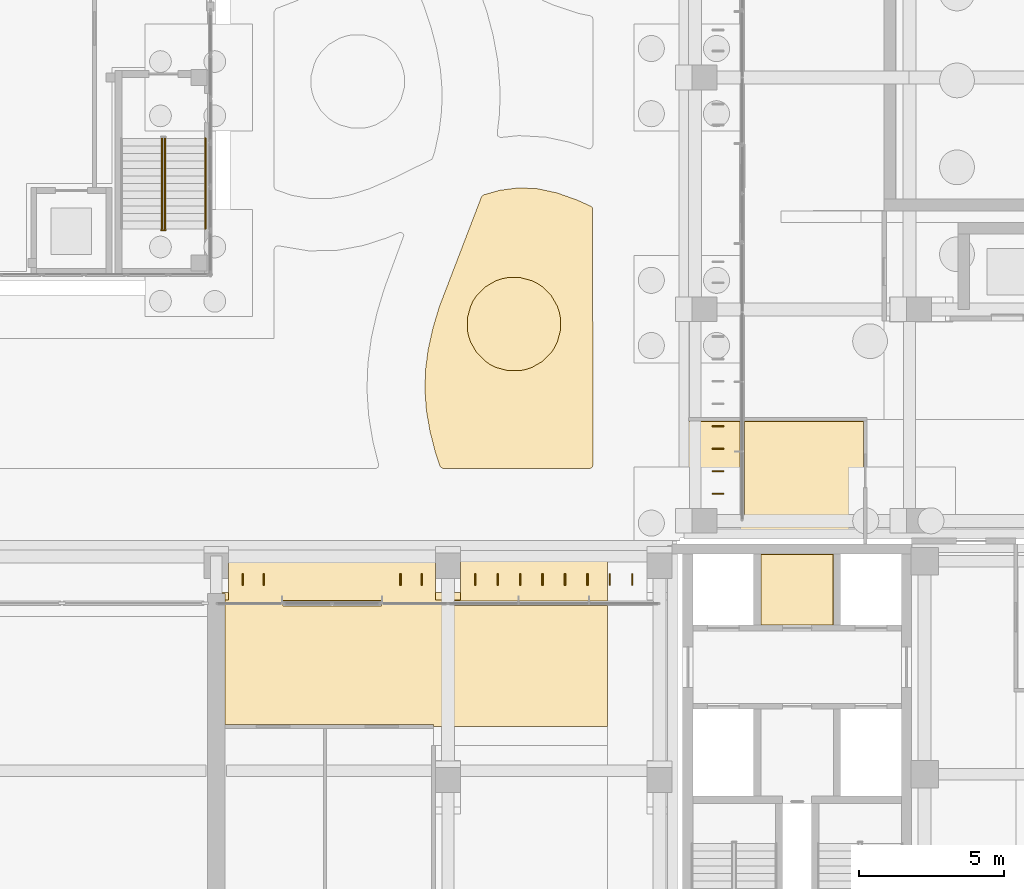
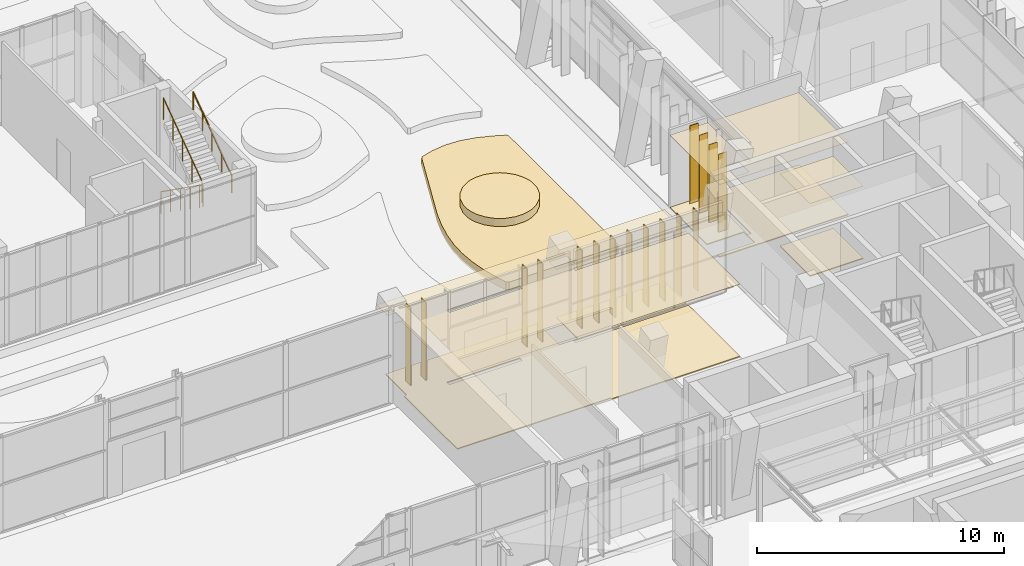
# One storey, part 138 of 144: 16 shading devices, 8 coverings, 4 railings.
"""IFC4 building model written with IfcOpenShell, lengths in metres."""

from ifc_helpers import new_model, si_unit, direction, frame, origin, origin_2d, place, context, subcontext, project, spatial, polyline, rectangle, circle, outline, extrude, material, layer, layer_set, type_object, element, save


model = new_model("IFC4")

# Units and contexts
model_context = context("Model", 3, precision=1e-05, world=origin(), true_north=direction((0.0, 1.0)))
body_context = subcontext(model_context, "Body", "Model", "MODEL_VIEW")
ifc_project = project(units=[si_unit("LENGTHUNIT", "METRE"), si_unit("AREAUNIT", "SQUARE_METRE"), si_unit("VOLUMEUNIT", "CUBIC_METRE"), si_unit("PLANEANGLEUNIT", "RADIAN"), si_unit("MASSUNIT", "GRAM", prefix="KILO")], contexts=[model_context])

# Site, building, storey
site_placement = place(None, origin())
site = spatial("IfcSite", under=ifc_project, at=site_placement, CompositionType="ELEMENT")
building_placement = place(site_placement, origin())
building = spatial("IfcBuilding", under=site, at=building_placement, Name="Lantern Court Media Centre", CompositionType="ELEMENT")
storey_placement = place(building_placement, origin())
storey = spatial("IfcBuildingStorey", under=building, at=storey_placement, Name="L00", CompositionType="ELEMENT", Elevation=0.0)

# Coverings
ifc_material_1 = material(Name="Carpet")
ifc_layer_1 = layer(ifc_material_1, 0.050048828125)
ifc_layer_set_1 = layer_set([ifc_layer_1], Name="Carpet")
covering_type_1 = type_object("IfcCoveringType", Name="Carpet floor finish", PredefinedType="FLOORING", material=ifc_layer_set_1)
covering_1_placement = place(storey_placement, origin())
element("IfcCovering", 1, at=covering_1_placement, inside=storey, type_object=covering_type_1, Name="Broadcast Reception floor finish", PredefinedType="FLOORING", context=body_context, shape_type="SweptSolid", body=[
    extrude(outline(polyline([(80.300048828125, 68.132568359375), (82.070068359375, 68.132568359375), (82.074951171875, 64.89501953125), (82.22998046875, 64.89990234375), (82.22998046875, 68.132568359375), (86.33251953125, 68.132568359375), (86.33251953125, 64.10009765625), (80.300048828125, 64.10009765625), (80.300048828125, 64.27001953125), (82.030029296875, 64.27490234375), (82.02734375, 65.12939453125), (80.300048828125, 65.1298828125), (80.300048828125, 68.132568359375)])), origin(), (0.0, 0.0, 1.0), 0.050048828125),
])
ifc_material_2 = material(Name="Ceramic tile")
ifc_layer_2 = layer(ifc_material_2, 0.050048828125)
ifc_layer_set_2 = layer_set([ifc_layer_2], Name="Ceramic tile")
covering_type_2 = type_object("IfcCoveringType", Name="Ceramic tile floor finish", PredefinedType="FLOORING", material=ifc_layer_set_2)
covering_2_placement = place(storey_placement, origin())
element("IfcCovering", 2, at=covering_2_placement, inside=storey, type_object=covering_type_2, Name="Accessible WC floor finish", PredefinedType="FLOORING", context=body_context, shape_type="SweptSolid", body=[
    extrude(outline(polyline([(85.294921875, 63.544921875), (85.294921875, 61.10498046875), (82.804931640625, 61.10498046875), (82.804931640625, 63.544921875), (85.294921875, 63.544921875)])), origin(), (0.0, 0.0, 1.0), 0.050048828125),
])
ifc_material_3 = material(Name="Planting soil")
ifc_layer_3 = layer(ifc_material_3, 0.39990234375)
ifc_layer_set_3 = layer_set([ifc_layer_3], Name="Planting soil")
covering_type_3 = type_object("IfcCoveringType", Name="Court planting bed 400", PredefinedType="USERDEFINED", material=ifc_layer_set_3)
covering_3_placement = place(storey_placement, frame((0.0, 0.0, -0.10009765625)))
element("IfcCovering", 3, at=covering_3_placement, inside=storey, type_object=covering_type_3, Name="Court planting bed", ObjectType="PLANTING BED", PredefinedType="USERDEFINED", context=body_context, shape_type="SweptSolid", body=[
    extrude(outline(polyline([(76.8798828125, 66.5), (71.8349609375, 66.5), (71.72509765625, 66.572021484375), (71.55810546875, 67.0830078125), (71.3740234375, 67.802978515625), (71.251953125, 68.52490234375), (71.202880859375, 69.22607421875), (71.22509765625, 69.926025390625), (71.31591796875, 70.62109375), (71.47802734375, 71.35107421875), (71.699951171875, 72.090087890625), (73.152099609375, 75.875), (73.220947265625, 75.947021484375), (73.782958984375, 76.10791015625), (74.427001953125, 76.19189453125), (75.083984375, 76.1630859375), (75.760986328125, 76.01806640625), (76.468017578125, 75.76611328125), (76.93994140625, 75.552001953125), (76.990966796875, 75.491943359375), (77.0, 66.6201171875), (76.965087890625, 66.534912109375), (76.8798828125, 66.5)])), origin(), (0.0, 0.0, 1.0), 0.400146484375),
])
covering_4_placement = place(storey_placement, frame((0.0, 0.0, 0.300048828125)))
element("IfcCovering", 4, at=covering_4_placement, inside=storey, type_object=covering_type_3, Name="Court shrub island", ObjectType="PLANTING BED", PredefinedType="USERDEFINED", context=body_context, shape_type="SweptSolid", body=[
    extrude(outline(polyline([(75.77197265625, 70.8701171875), (75.677978515625, 70.679931640625), (75.56005859375, 70.50390625), (75.260986328125, 70.205078125), (74.89501953125, 69.992919921875), (74.695068359375, 69.925048828125), (74.487060546875, 69.884033203125), (74.06396484375, 69.884033203125), (73.655029296875, 69.992919921875), (73.465087890625, 70.0869140625), (73.2890625, 70.205078125), (72.989990234375, 70.50390625), (72.779052734375, 70.8701171875), (72.7099609375, 71.071044921875), (72.6689453125, 71.279052734375), (72.6689453125, 71.701904296875), (72.779052734375, 72.110107421875), (72.8720703125, 72.300048828125), (72.989990234375, 72.47607421875), (73.2890625, 72.77490234375), (73.655029296875, 72.987060546875), (73.85595703125, 73.054931640625), (74.06396484375, 73.095947265625), (74.487060546875, 73.095947265625), (74.89501953125, 72.987060546875), (75.0849609375, 72.89306640625), (75.260986328125, 72.77490234375), (75.56005859375, 72.47607421875), (75.77197265625, 72.110107421875), (75.840087890625, 71.908935546875), (75.881103515625, 71.701904296875), (75.881103515625, 71.279052734375), (75.77197265625, 70.8701171875)])), origin(), (0.0, 0.0, 1.0), 0.39990234375),
])

# Railings
ifc_material_4 = material(Name="Powder-coated steel", Category="steel")
railing_type_1 = type_object("IfcRailingType", Name="Stair guard 1100", PredefinedType="GUARDRAIL", material=ifc_material_4)
railing_1_placement = place(storey_placement, frame((62.1240234375, 77.89990234375, 0.1845703125)))
element("IfcRailing", 5, at=railing_1_placement, inside=storey, type_object=railing_type_1, Name="L00 ST-PRESS-ST stair guard 1", PredefinedType="GUARDRAIL", context=body_context, shape_type="SweptSolid", body=[
    extrude(circle(Radius=0.02392578125, at=origin_2d()), frame((0.0, 0.0, 1.076171875), z_axis=(0.0, -0.815355575968, 0.57896052088), x_axis=(1.0, 0.0, 0.0)), (0.0, 0.0, 1.0), 3.826416015625),
    extrude(circle(Radius=0.02099609375, at=origin_2d()), origin(), (0.0, 0.0, 1.0), 1.052001953125),
    extrude(circle(Radius=0.02099609375, at=origin_2d()), frame((0.0, -0.780029296875, 0.5537109375)), (0.0, 0.0, 1.0), 1.052001953125),
    extrude(circle(Radius=0.02099609375, at=origin_2d()), frame((0.0, -1.56005859375, 1.107666015625)), (0.0, 0.0, 1.0), 1.052001953125),
    extrude(circle(Radius=0.02099609375, at=origin_2d()), frame((0.0, -2.33984375, 1.66162109375)), (0.0, 0.0, 1.0), 1.052001953125),
    extrude(circle(Radius=0.02099609375, at=origin_2d()), frame((0.0, -3.119873046875, 2.21533203125)), (0.0, 0.0, 1.0), 1.052001953125),
])
railing_2_placement = place(storey_placement, frame((62.10009765625, 74.72998046875, 2.39990234375)))
element("IfcRailing", 6, at=railing_2_placement, inside=storey, type_object=railing_type_1, Name="L00 ST-PRESS-ST stair guard 2", PredefinedType="GUARDRAIL", context=body_context, shape_type="SweptSolid", body=[
    extrude(circle(Radius=0.02392578125, at=origin_2d()), frame((0.0, 0.0, 1.076171875), z_axis=(1.0, 0.0, 0.0), x_axis=(0.0, 1.0, 0.0)), (0.0, 0.0, 1.0), 0.14990234375),
    extrude(circle(Radius=0.02099609375, at=origin_2d()), origin(), (0.0, 0.0, 1.0), 1.052001953125),
    extrude(circle(Radius=0.02099609375, at=origin_2d()), frame((0.14990234375, 0.0, 0.0)), (0.0, 0.0, 1.0), 1.052001953125),
])
railing_3_placement = place(storey_placement, frame((62.22607421875, 74.780029296875, 2.584716796875)))
element("IfcRailing", 7, at=railing_3_placement, inside=storey, type_object=railing_type_1, Name="L00 ST-PRESS-ST stair guard 3", PredefinedType="GUARDRAIL", context=body_context, shape_type="SweptSolid", body=[
    extrude(circle(Radius=0.02392578125, at=origin_2d()), frame((0.0, 0.0, 1.076171875), z_axis=(0.0, 0.815355575968, 0.57896052088), x_axis=(-1.0, 0.0, 0.0)), (0.0, 0.0, 1.0), 3.826416015625),
    extrude(circle(Radius=0.02099609375, at=origin_2d()), origin(), (0.0, 0.0, 1.0), 1.052001953125),
    extrude(circle(Radius=0.02099609375, at=origin_2d()), frame((0.0, 0.780029296875, 0.5537109375)), (0.0, 0.0, 1.0), 1.052001953125),
    extrude(circle(Radius=0.02099609375, at=origin_2d()), frame((0.0, 1.56005859375, 1.107666015625)), (0.0, 0.0, 1.0), 1.052001953125),
    extrude(circle(Radius=0.02099609375, at=origin_2d()), frame((0.0, 2.33984375, 1.66162109375)), (0.0, 0.0, 1.0), 1.052001953125),
    extrude(circle(Radius=0.02099609375, at=origin_2d()), frame((0.0, 3.119873046875, 2.21533203125)), (0.0, 0.0, 1.0), 1.052001953125),
])
railing_type_2 = type_object("IfcRailingType", Name="Stair handrail 900", PredefinedType="HANDRAIL", material=ifc_material_4)
railing_4_placement = place(storey_placement, frame((63.6240234375, 74.780029296875, 2.584716796875)))
element("IfcRailing", 8, at=railing_4_placement, inside=storey, type_object=railing_type_2, Name="L00 ST-PRESS-ST stair handrail 2", PredefinedType="HANDRAIL", context=body_context, shape_type="SweptSolid", body=[
    extrude(circle(Radius=0.02392578125, at=origin_2d()), frame((0.0, 0.0, 0.8759765625), z_axis=(0.0, 0.815355575968, 0.57896052088), x_axis=(-1.0, 0.0, 0.0)), (0.0, 0.0, 1.0), 3.826416015625),
    extrude(circle(Radius=0.02099609375, at=origin_2d()), origin(), (0.0, 0.0, 1.0), 0.851806640625),
    extrude(circle(Radius=0.02099609375, at=origin_2d()), frame((0.0, 0.780029296875, 0.5537109375)), (0.0, 0.0, 1.0), 0.851806640625),
    extrude(circle(Radius=0.02099609375, at=origin_2d()), frame((0.0, 1.56005859375, 1.107666015625)), (0.0, 0.0, 1.0), 0.851806640625),
    extrude(circle(Radius=0.02099609375, at=origin_2d()), frame((0.0, 2.33984375, 1.66162109375)), (0.0, 0.0, 1.0), 0.851806640625),
    extrude(circle(Radius=0.02099609375, at=origin_2d()), frame((0.0, 3.119873046875, 2.21533203125)), (0.0, 0.0, 1.0), 0.851806640625),
])

# Coverings
ifc_material_5 = material(Name="Mineral fibre ceiling tile")
ifc_layer_4 = layer(ifc_material_5, 0.02001953125)
ifc_layer_set_4 = layer_set([ifc_layer_4], Name="Mineral fibre ceiling tile")
covering_type_4 = type_object("IfcCoveringType", Name="Suspended ceiling tile", PredefinedType="CEILING", material=ifc_layer_set_4)
covering_5_placement = place(storey_placement, frame((0.0, 0.0, 3.60009765625)))
element("IfcCovering", 9, at=covering_5_placement, inside=storey, type_object=covering_type_4, Name="Foyer Gallery ceiling", PredefinedType="CEILING", context=body_context, shape_type="SweptSolid", body=[
    extrude(outline(polyline([(77.5, 57.60009765625), (71.50048828125, 57.60009765625), (71.5, 57.6630859375), (64.304931640625, 57.6630859375), (64.300537109375, 57.60009765625), (64.300537109375, 62.199951171875), (64.0, 62.200439453125), (64.0, 62.222412109375), (64.425537109375, 62.22265625), (64.425537109375, 62.824951171875), (64.0, 62.825439453125), (64.0, 62.974609375), (64.425048828125, 62.974609375), (64.425537109375, 63.072998046875), (64.0, 63.073486328125), (64.0, 63.699951171875), (77.5, 63.699951171875), (77.5, 61.925537109375), (72.199462890625, 61.925048828125), (72.199951171875, 61.7744140625), (77.5, 61.7744140625), (77.5, 57.60009765625)]), holes=[polyline([(72.425048828125, 62.222412109375), (72.42529296875, 62.825439453125), (71.574462890625, 62.8251953125), (71.57470703125, 62.222412109375), (72.425048828125, 62.222412109375)]), polyline([(71.574462890625, 62.97509765625), (72.425048828125, 62.974609375), (72.425537109375, 63.072998046875), (71.574951171875, 63.073486328125), (71.574462890625, 62.97509765625)]), polyline([(69.700439453125, 61.93994140625), (66.300048828125, 61.9404296875), (66.299560546875, 61.760009765625), (69.699951171875, 61.759521484375), (69.700439453125, 61.93994140625)])]), origin(), (0.0, 0.0, 1.0), 0.02001953125),
])
covering_6_placement = place(storey_placement, frame((0.0, 0.0, 3.60009765625)))
element("IfcCovering", 10, at=covering_6_placement, inside=storey, type_object=covering_type_4, Name="Broadcast Reception ceiling", PredefinedType="CEILING", context=body_context, shape_type="SweptSolid", body=[
    extrude(outline(polyline([(82.2294921875, 68.199951171875), (82.22998046875, 68.136962890625), (86.3369140625, 68.136962890625), (86.3369140625, 64.10009765625), (80.300048828125, 64.10009765625), (80.300048828125, 68.136962890625), (82.070068359375, 68.136962890625), (82.074462890625, 68.199951171875), (82.074462890625, 64.89990234375), (82.22509765625, 64.8994140625), (82.2294921875, 68.199951171875)]), holes=[polyline([(81.777099609375, 64.2744140625), (81.777587890625, 65.125244140625), (81.1748046875, 65.12548828125), (81.174560546875, 64.274658203125), (81.777099609375, 64.2744140625)])]), origin(), (0.0, 0.0, 1.0), 0.02001953125),
])
covering_7_placement = place(storey_placement, frame((0.0, 0.0, 3.60009765625)))
element("IfcCovering", 11, at=covering_7_placement, inside=storey, type_object=covering_type_4, Name="Accessible WC ceiling", PredefinedType="CEILING", context=body_context, shape_type="SweptSolid", body=[
    extrude(outline(polyline([(85.299560546875, 63.549560546875), (85.299560546875, 61.1005859375), (82.800537109375, 61.1005859375), (82.800537109375, 63.549560546875), (85.299560546875, 63.549560546875)])), origin(), (0.0, 0.0, 1.0), 0.02001953125),
])
ifc_material_6 = material(Name="Terrazzo")
ifc_layer_5 = layer(ifc_material_6, 0.050048828125)
ifc_layer_set_5 = layer_set([ifc_layer_5], Name="Terrazzo")
covering_type_5 = type_object("IfcCoveringType", Name="Terrazzo floor finish", PredefinedType="FLOORING", material=ifc_layer_set_5)
covering_8_placement = place(storey_placement, origin())
element("IfcCovering", 12, at=covering_8_placement, inside=storey, type_object=covering_type_5, Name="Foyer Gallery floor finish", PredefinedType="FLOORING", context=body_context, shape_type="SweptSolid", body=[
    extrude(outline(polyline([(77.5, 57.60009765625), (71.5048828125, 57.60009765625), (71.5, 57.66748046875), (64.304931640625, 57.66748046875), (64.304931640625, 61.969970703125), (64.429931640625, 61.974609375), (64.429931640625, 63.699951171875), (71.570068359375, 63.699951171875), (71.574951171875, 61.969970703125), (72.429443359375, 61.97265625), (72.429931640625, 63.699951171875), (77.5, 63.699951171875), (77.5, 61.929931640625), (72.195068359375, 61.925048828125), (72.199951171875, 61.77001953125), (77.5, 61.77001953125), (77.5, 57.60009765625)]), holes=[polyline([(66.300048828125, 61.945068359375), (66.299560546875, 61.755126953125), (69.705078125, 61.759521484375), (69.700439453125, 61.945068359375), (66.300048828125, 61.945068359375)])]), origin(), (0.0, 0.0, 1.0), 0.050048828125),
])

# Shading devices
ifc_material_7 = material(Name="Bronze anodised aluminium louvre", Category="aluminium")
ifc_layer_6 = layer(ifc_material_7, 0.0400390625)
ifc_layer_set_6 = layer_set([ifc_layer_6], Name="Bronze anodised aluminium louvre")
shading_device_type = type_object("IfcShadingDeviceType", Name="Vertical louvre 40x400 under beam", PredefinedType="USERDEFINED", material=ifc_layer_set_6)
for number, where, z_axis, x_axis, name in (
    (13, (64.91259765625, 62.679931640625, 0.0), (0.0, 0.0, 1.0), (1.0, 0.0, 0.0), "Vertical louvre S inner L00"),
    (14, (65.637451171875, 62.679931640625, 0.0), (0.0, 0.0, 1.0), (1.0, 0.0, 0.0), "Vertical louvre S inner L00"),
    (15, (70.362548828125, 62.679931640625, 0.0), (0.0, 0.0, 1.0), (1.0, 0.0, 0.0), "Vertical louvre S inner L00"),
    (16, (71.08740234375, 62.679931640625, 0.0), (0.0, 0.0, 1.0), (1.0, 0.0, 0.0), "Vertical louvre S inner L00"),
    (17, (72.9375, 62.679931640625, 0.0), (0.0, 0.0, 1.0), (1.0, 0.0, 0.0), "Vertical louvre S inner L00"),
    (18, (73.71240234375, 62.679931640625, 0.0), (0.0, 0.0, 1.0), (1.0, 0.0, 0.0), "Vertical louvre S inner L00"),
    (19, (74.487548828125, 62.679931640625, 0.0), (0.0, 0.0, 1.0), (1.0, 0.0, 0.0), "Vertical louvre S inner L00"),
    (20, (75.262451171875, 62.679931640625, 0.0), (0.0, 0.0, 1.0), (1.0, 0.0, 0.0), "Vertical louvre S inner L00"),
    (21, (76.03759765625, 62.679931640625, 0.0), (0.0, 0.0, 1.0), (1.0, 0.0, 0.0), "Vertical louvre S inner L00"),
    (22, (76.8125, 62.679931640625, 0.0), (0.0, 0.0, 1.0), (1.0, 0.0, 0.0), "Vertical louvre S inner L00"),
    (23, (77.58740234375, 62.679931640625, 0.0), (0.0, 0.0, 1.0), (1.0, 0.0, 0.0), "Vertical louvre S inner L00"),
    (24, (78.362548828125, 62.679931640625, 0.0), (0.0, 0.0, 1.0), (1.0, 0.0, 0.0), "Vertical louvre S inner L00"),
):
    element("IfcShadingDevice", number, at=place(storey_placement, frame(where, z_axis=z_axis, x_axis=x_axis)), inside=storey, type_object=shading_device_type, Name=name, ObjectType="VERTICAL LOUVRE", PredefinedType="USERDEFINED", context=body_context, shape_type="SweptSolid", body=[
        extrude(rectangle(XDim=0.0400390625, YDim=0.39990234375, at=origin_2d()), origin(), (0.0, 0.0, 1.0), 3.89990234375),
    ])
for number, where, z_axis, x_axis, name in (
    (25, (81.320068359375, 65.637451171875, 0.0), (0.0, 0.0, 1.0), (1.0, 0.0, 0.0), "Vertical louvre E inner L00"),
    (26, (81.320068359375, 66.41259765625, 0.0), (0.0, 0.0, 1.0), (1.0, 0.0, 0.0), "Vertical louvre E inner L00"),
    (27, (81.320068359375, 67.1875, 0.0), (0.0, 0.0, 1.0), (1.0, 0.0, 0.0), "Vertical louvre E inner L00"),
    (28, (81.320068359375, 67.96240234375, 0.0), (0.0, 0.0, 1.0), (1.0, 0.0, 0.0), "Vertical louvre E inner L00"),
):
    element("IfcShadingDevice", number, at=place(storey_placement, frame(where, z_axis=z_axis, x_axis=x_axis)), inside=storey, type_object=shading_device_type, Name=name, ObjectType="VERTICAL LOUVRE", PredefinedType="USERDEFINED", context=body_context, shape_type="SweptSolid", body=[
        extrude(rectangle(XDim=0.39990234375, YDim=0.0400390625, at=origin_2d()), origin(), (0.0, 0.0, 1.0), 3.89990234375),
    ])

save(model, "model.ifc")
